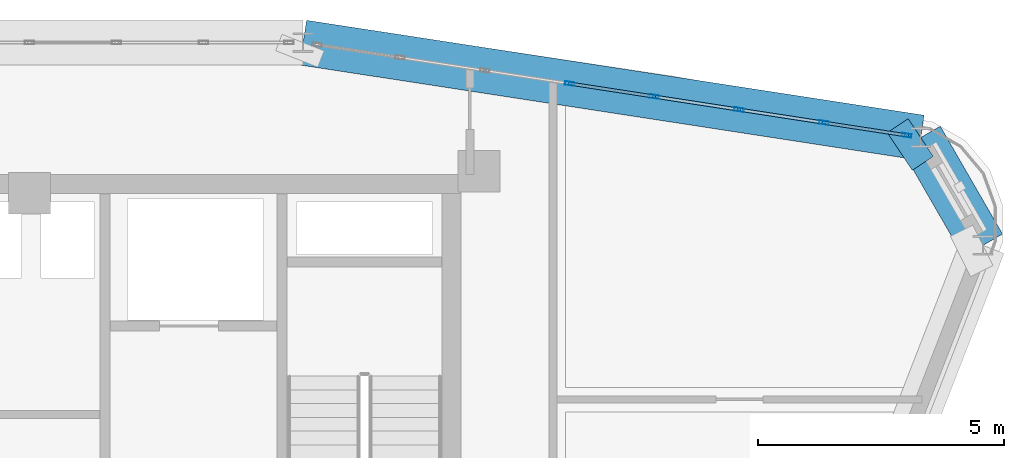
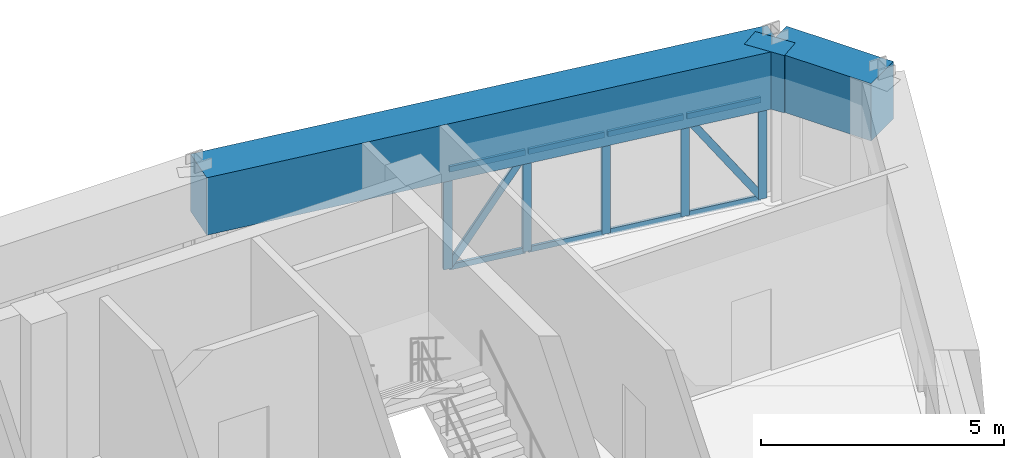
# One storey, part 10 of 17: 15 members, 3 beams, 1 element without a shape of its own.
"""IFC4 building model written with IfcOpenShell, lengths in metres."""

from ifc_helpers import new_model, si_unit, derived_unit, direction, frame, origin, origin_2d, place, context, subcontext, project, spatial, rectangle, hollow_rectangle, extrude, source, transform, mapped, material, layer, layer_set, material_profile, profile_set, type_object, element, aggregate, save


model = new_model("IFC4")

# Units and contexts
model_context = context("Model", 3, precision=1e-05, world=origin(), true_north=direction((0.0, 1.0)))
body_context = subcontext(model_context, "Body", "Model", "MODEL_VIEW")
ifc_project = project(units=[si_unit("LENGTHUNIT", "METRE"), si_unit("AREAUNIT", "SQUARE_METRE"), si_unit("VOLUMEUNIT", "CUBIC_METRE"), si_unit("PLANEANGLEUNIT", "RADIAN"), si_unit("MASSUNIT", "GRAM", prefix="KILO"), derived_unit("THERMALTRANSMITTANCEUNIT", [(si_unit("POWERUNIT", "WATT"), 1), (si_unit("LENGTHUNIT", "METRE"), -2), (si_unit("THERMODYNAMICTEMPERATUREUNIT", "KELVIN"), -1)])], contexts=[model_context])

# Site, building, storey
site_placement = place(None, origin())
site = spatial("IfcSite", under=ifc_project, at=site_placement, CompositionType="ELEMENT")
building_placement = place(site_placement, origin())
building = spatial("IfcBuilding", under=site, at=building_placement, Name="Korsvarv Bourse and Concert Hall", CompositionType="ELEMENT")
storey_placement = place(building_placement, frame((0.0, 0.0, 279.60009765625)))
storey = spatial("IfcBuildingStorey", under=building, at=storey_placement, Name="L73", CompositionType="ELEMENT", Elevation=279.60009765625)

# Beams
ifc_material_1 = material(Name="Concrete C50/60", Category="concrete")
ifc_material_profile_1 = material_profile(ifc_material_1, rectangle(XDim=0.919921875, YDim=1.43994140625, at=origin_2d()), Name="RC-BM 920x1440")
ifc_profile_set_1 = profile_set([ifc_material_profile_1], Name="Concrete C50/60")
beam_type = type_object("IfcBeamType", Name="BM-TR-144", PredefinedType="BEAM", material=ifc_profile_set_1)
shared_shape_1 = source(origin(), body_context, "Body", "SweptSolid", [
    extrude(rectangle(XDim=0.919921875, YDim=1.43994140625, at=origin_2d()), origin(), (0.0, 0.0, 1.0), 2.534423828125),
])
beam_1_placement = place(storey_placement, frame((55.406005859375, 45.740966796875, 3.239990234375), z_axis=(-0.499972622635, 0.866041209536, 0.0), x_axis=(-0.866041209536, -0.499972622635, 0.0)))
element("IfcBeam", 1, at=beam_1_placement, inside=storey, type_object=beam_type, Name="L73 beam B-TR4", PredefinedType="BEAM", context=body_context, shape_type="MappedRepresentation", body=[
    mapped(shared_shape_1, transform((0.0, 0.0, 0.0), scale=1.0)),
])
shared_shape_2 = source(origin(), body_context, "Body", "SweptSolid", [
    extrude(rectangle(XDim=0.919921875, YDim=1.43994140625, at=origin_2d()), origin(), (0.0, 0.0, 1.0), 12.717041015625),
])
beam_2_placement = place(storey_placement, frame((54.138916015625, 47.935791015625, 3.239990234375), z_axis=(-0.988390776911, 0.15193311725, 0.0), x_axis=(-0.15193311725, -0.988390776911, 0.0)))
element("IfcBeam", 2, at=beam_2_placement, inside=storey, type_object=beam_type, Name="L73 beam B-TR4", PredefinedType="BEAM", context=body_context, shape_type="MappedRepresentation", body=[
    mapped(shared_shape_2, transform((0.0, 0.0, 0.0), scale=1.0)),
])
shared_shape_3 = source(origin(), body_context, "Body", "SweptSolid", [
    extrude(rectangle(XDim=0.919921875, YDim=1.43994140625, at=origin_2d()), origin(), (0.0, 0.0, 1.0), 0.5107421875),
])
beam_3_placement = place(storey_placement, frame((54.138916015625, 47.935791015625, 3.239990234375), z_axis=(-0.832785043871, -0.553596487258, 0.0), x_axis=(0.553596487258, -0.832785043871, 0.0)))
element("IfcBeam", 3, at=beam_3_placement, inside=storey, type_object=beam_type, Name="L73 beam B-TR4", PredefinedType="BEAM", context=body_context, shape_type="MappedRepresentation", body=[
    mapped(shared_shape_3, transform((0.0, 0.0, 0.0), scale=1.0)),
])

# Curtain wall, members
ifc_material_2 = material(Name="Anodised aluminium and triple low-E glazing", Category="glass")
ifc_layer = layer(ifc_material_2, 0.18994140625)
ifc_layer_set = layer_set([ifc_layer], Name="Anodised aluminium and triple low-E glazing")
curtain_wall_type = type_object("IfcCurtainWallType", Name="CW-SYS-4", PredefinedType="NOTDEFINED", material=ifc_layer_set)
curtain_wall_placement = place(storey_placement, origin())
curtain_wall = element("IfcCurtainWall", 4, at=curtain_wall_placement, inside=storey, type_object=curtain_wall_type, Name="L73 CW4 curtain wall CW-L73-F02", PredefinedType="NOTDEFINED")
ifc_material_3 = material(Name="Extruded aluminium EN AW-6063 T66", Category="aluminium")
ifc_material_profile_2 = material_profile(ifc_material_3, hollow_rectangle(XDim=0.070068359375, YDim=0.18994140625, WallThickness=0.0048828125, at=origin_2d()), Name="ALU-M 70x190")
ifc_profile_set_2 = profile_set([ifc_material_profile_2], Name="Extruded aluminium EN AW-6063 T66")
member_type_1 = type_object("IfcMemberType", Name="CWM-190", PredefinedType="MULLION", material=ifc_profile_set_2)
shared_shape_4 = source(origin(), body_context, "Body", "SweptSolid", [
    extrude(hollow_rectangle(XDim=0.070068359375, YDim=0.18994140625, WallThickness=0.0048828125, at=origin_2d()), origin(), (0.0, 0.0, 1.0), 2.52001953125),
])
member_1_placement = place(storey_placement, frame((53.853759765625, 47.9794921875, 0.0), z_axis=(0.0, 0.0, 1.0), x_axis=(-0.151931020537, -0.98839109921, 0.0)))
member_1 = element("IfcMember", 5, at=member_1_placement, type_object=member_type_1, Name="CW4 mullion 1", PredefinedType="MULLION", context=body_context, shape_type="MappedRepresentation", body=[
    mapped(shared_shape_4, transform((0.0, 0.0, 0.0), scale=1.0)),
])
member_2_placement = place(storey_placement, frame((52.164306640625, 48.2392578125, 0.0), z_axis=(0.0, 0.0, 1.0), x_axis=(-0.151931020537, -0.98839109921, 0.0)))
member_2 = element("IfcMember", 6, at=member_2_placement, type_object=member_type_1, Name="CW4 mullion 2", PredefinedType="MULLION", context=body_context, shape_type="MappedRepresentation", body=[
    mapped(shared_shape_4, transform((0.0, 0.0, 0.0), scale=1.0)),
])
member_3_placement = place(storey_placement, frame((50.440185546875, 48.504150390625, 0.0), z_axis=(0.0, 0.0, 1.0), x_axis=(-0.151931020537, -0.98839109921, 0.0)))
member_3 = element("IfcMember", 7, at=member_3_placement, type_object=member_type_1, Name="CW4 mullion 3", PredefinedType="MULLION", context=body_context, shape_type="MappedRepresentation", body=[
    mapped(shared_shape_4, transform((0.0, 0.0, 0.0), scale=1.0)),
])
member_4_placement = place(storey_placement, frame((48.71630859375, 48.769287109375, 0.0), z_axis=(0.0, 0.0, 1.0), x_axis=(-0.151931020537, -0.98839109921, 0.0)))
member_4 = element("IfcMember", 8, at=member_4_placement, type_object=member_type_1, Name="CW4 mullion 4", PredefinedType="MULLION", context=body_context, shape_type="MappedRepresentation", body=[
    mapped(shared_shape_4, transform((0.0, 0.0, 0.0), scale=1.0)),
])
member_5_placement = place(storey_placement, frame((46.9921875, 49.0341796875, 0.0), z_axis=(0.0, 0.0, 1.0), x_axis=(-0.151931020537, -0.98839109921, 0.0)))
member_5 = element("IfcMember", 9, at=member_5_placement, type_object=member_type_1, Name="CW4 mullion 5", PredefinedType="MULLION", context=body_context, shape_type="MappedRepresentation", body=[
    mapped(shared_shape_4, transform((0.0, 0.0, 0.0), scale=1.0)),
])
ifc_material_profile_3 = material_profile(ifc_material_3, hollow_rectangle(XDim=0.06494140625, YDim=0.139892578125, WallThickness=0.00390625, at=origin_2d()), Name="ALU-T 65x140")
ifc_profile_set_3 = profile_set([ifc_material_profile_3], Name="Extruded aluminium EN AW-6063 T66")
member_type_2 = type_object("IfcMemberType", Name="CWT-140", PredefinedType="USERDEFINED", material=ifc_profile_set_3)
shared_shape_5 = source(origin(), body_context, "Body", "SweptSolid", [
    extrude(hollow_rectangle(XDim=0.06494140625, YDim=0.139892578125, WallThickness=0.00390625, at=origin_2d()), origin(), (0.0, 0.0, 1.0), 1.63916015625),
])
member_6_placement = place(storey_placement, frame((53.819091796875, 47.98486328125, 0.032470703125), z_axis=(-0.988392351276, 0.15192287497, 0.0), x_axis=(-0.15192287497, -0.988392351276, 0.0)))
member_6 = element("IfcMember", 10, at=member_6_placement, type_object=member_type_2, Name="CW4 transom 1.1", ObjectType="TRANSOM", PredefinedType="USERDEFINED", context=body_context, shape_type="MappedRepresentation", body=[
    mapped(shared_shape_5, transform((0.0, 0.0, 0.0), scale=1.0)),
])
member_7_placement = place(storey_placement, frame((53.819091796875, 47.98486328125, 2.4873046875), z_axis=(-0.988392351276, 0.15192287497, 0.0), x_axis=(-0.15192287497, -0.988392351276, 0.0)))
member_7 = element("IfcMember", 11, at=member_7_placement, type_object=member_type_2, Name="CW4 transom 1.2", ObjectType="TRANSOM", PredefinedType="USERDEFINED", context=body_context, shape_type="MappedRepresentation", body=[
    mapped(shared_shape_5, transform((0.0, 0.0, 0.0), scale=1.0)),
])
ifc_material_profile_4 = material_profile(ifc_material_3, hollow_rectangle(XDim=0.06494140625, YDim=0.1650390625, WallThickness=0.0048828125, at=origin_2d()), Name="ALU-M 65x165")
ifc_profile_set_4 = profile_set([ifc_material_profile_4], Name="Extruded aluminium EN AW-6063 T66")
member_type_3 = type_object("IfcMemberType", Name="CWM-165", PredefinedType="MULLION", material=ifc_profile_set_4)
shared_shape_6 = source(origin(), body_context, "Body", "SweptSolid", [
    extrude(hollow_rectangle(XDim=0.06494140625, YDim=0.1650390625, WallThickness=0.0048828125, at=origin_2d()), origin(), (0.0, 0.0, 1.0), 2.89794921875),
])
member_8_placement = place(storey_placement, frame((53.819091796875, 47.98486328125, 0.06494140625), z_axis=(-0.559047483666, 0.085929540889, 0.824670858591), x_axis=(-0.15192287497, -0.988392351276, 0.0)))
member_8 = element("IfcMember", 12, at=member_8_placement, type_object=member_type_3, Name="CW4 diagonal mullion 1", PredefinedType="MULLION", context=body_context, shape_type="MappedRepresentation", body=[
    mapped(shared_shape_6, transform((0.0, 0.0, 0.0), scale=1.0)),
])
shared_shape_7 = source(origin(), body_context, "Body", "SweptSolid", [
    extrude(hollow_rectangle(XDim=0.06494140625, YDim=0.139892578125, WallThickness=0.00390625, at=origin_2d()), origin(), (0.0, 0.0, 1.0), 1.67431640625),
])
member_9_placement = place(storey_placement, frame((52.129638671875, 48.24462890625, 0.032470703125), z_axis=(-0.988388549731, 0.151947605314, 0.0), x_axis=(-0.151947605314, -0.988388549731, 0.0)))
member_9 = element("IfcMember", 13, at=member_9_placement, type_object=member_type_2, Name="CW4 transom 2.1", ObjectType="TRANSOM", PredefinedType="USERDEFINED", context=body_context, shape_type="MappedRepresentation", body=[
    mapped(shared_shape_7, transform((0.0, 0.0, 0.0), scale=1.0)),
])
member_10_placement = place(storey_placement, frame((52.129638671875, 48.24462890625, 2.4873046875), z_axis=(-0.988388549731, 0.151947605314, 0.0), x_axis=(-0.151947605314, -0.988388549731, 0.0)))
member_10 = element("IfcMember", 14, at=member_10_placement, type_object=member_type_2, Name="CW4 transom 2.2", ObjectType="TRANSOM", PredefinedType="USERDEFINED", context=body_context, shape_type="MappedRepresentation", body=[
    mapped(shared_shape_7, transform((0.0, 0.0, 0.0), scale=1.0)),
])
member_11_placement = place(storey_placement, frame((48.681640625, 48.774658203125, 0.032470703125), z_axis=(-0.988388549731, 0.151947605314, 0.0), x_axis=(-0.151947605314, -0.988388549731, 0.0)))
member_11 = element("IfcMember", 15, at=member_11_placement, type_object=member_type_2, Name="CW4 transom 4.1", ObjectType="TRANSOM", PredefinedType="USERDEFINED", context=body_context, shape_type="MappedRepresentation", body=[
    mapped(shared_shape_7, transform((0.0, 0.0, 0.0), scale=1.0)),
])
member_12_placement = place(storey_placement, frame((48.681640625, 48.774658203125, 2.4873046875), z_axis=(-0.988388549731, 0.151947605314, 0.0), x_axis=(-0.151947605314, -0.988388549731, 0.0)))
member_12 = element("IfcMember", 16, at=member_12_placement, type_object=member_type_2, Name="CW4 transom 4.2", ObjectType="TRANSOM", PredefinedType="USERDEFINED", context=body_context, shape_type="MappedRepresentation", body=[
    mapped(shared_shape_7, transform((0.0, 0.0, 0.0), scale=1.0)),
])
shared_shape_8 = source(origin(), body_context, "Body", "SweptSolid", [
    extrude(hollow_rectangle(XDim=0.06494140625, YDim=0.139892578125, WallThickness=0.00390625, at=origin_2d()), origin(), (0.0, 0.0, 1.0), 1.674560546875),
])
member_13_placement = place(storey_placement, frame((50.40576171875, 48.509521484375, 0.032470703125), z_axis=(-0.988391915776, 0.151925708252, 0.0), x_axis=(-0.151925708252, -0.988391915776, 0.0)))
member_13 = element("IfcMember", 17, at=member_13_placement, type_object=member_type_2, Name="CW4 transom 3.1", ObjectType="TRANSOM", PredefinedType="USERDEFINED", context=body_context, shape_type="MappedRepresentation", body=[
    mapped(shared_shape_8, transform((0.0, 0.0, 0.0), scale=1.0)),
])
member_14_placement = place(storey_placement, frame((50.40576171875, 48.509521484375, 2.4873046875), z_axis=(-0.988391915776, 0.151925708252, 0.0), x_axis=(-0.151925708252, -0.988391915776, 0.0)))
member_14 = element("IfcMember", 18, at=member_14_placement, type_object=member_type_2, Name="CW4 transom 3.2", ObjectType="TRANSOM", PredefinedType="USERDEFINED", context=body_context, shape_type="MappedRepresentation", body=[
    mapped(shared_shape_8, transform((0.0, 0.0, 0.0), scale=1.0)),
])
shared_shape_9 = source(origin(), body_context, "Body", "SweptSolid", [
    extrude(hollow_rectangle(XDim=0.06494140625, YDim=0.1650390625, WallThickness=0.0048828125, at=origin_2d()), origin(), (0.0, 0.0, 1.0), 2.91796875),
])
member_15_placement = place(storey_placement, frame((47.02685546875, 49.029052734375, 0.06494140625), z_axis=(0.567099229348, -0.087181675565, 0.81902247803), x_axis=(0.151947605314, 0.988388549731, 0.0)))
member_15 = element("IfcMember", 19, at=member_15_placement, type_object=member_type_3, Name="CW4 diagonal mullion 4", PredefinedType="MULLION", context=body_context, shape_type="MappedRepresentation", body=[
    mapped(shared_shape_9, transform((0.0, 0.0, 0.0), scale=1.0)),
])
aggregate(curtain_wall, [member_1, member_2, member_3, member_4, member_5, member_6, member_7, member_8, member_9, member_10, member_13, member_14, member_11, member_12, member_15])

save(model, "model.ifc")
